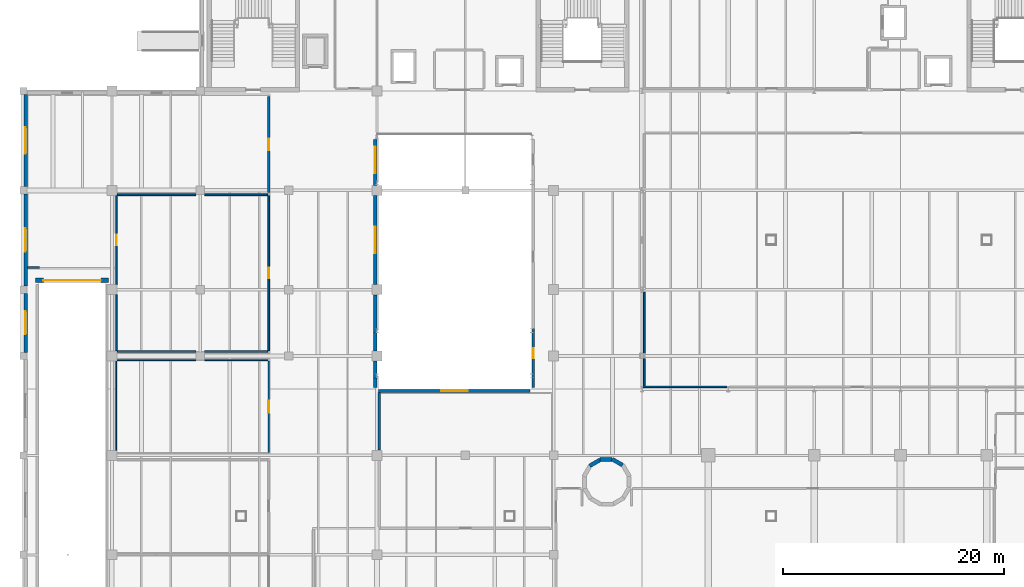
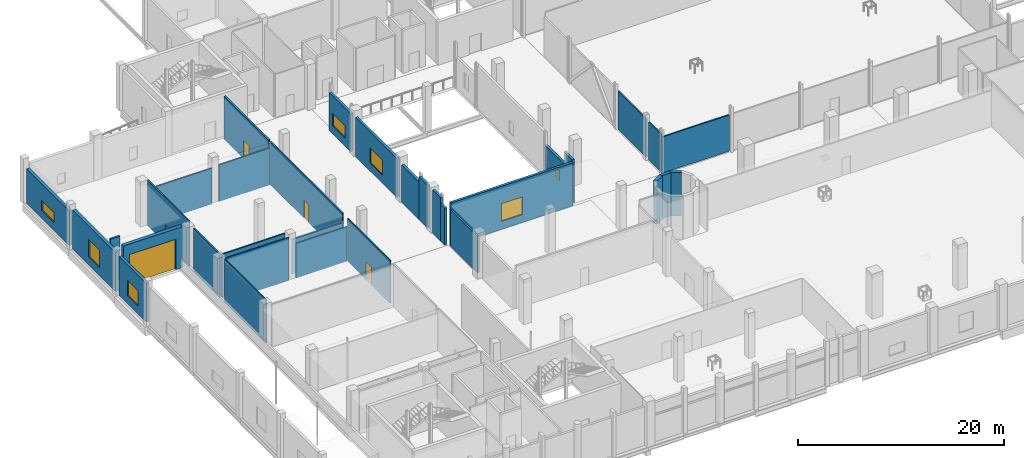
# One storey, part 39 of 57: 33 walls, 7 windows, 5 doors, 12 openings.
"""IFC4 building model written with IfcOpenShell, lengths in metres."""

from ifc_helpers import new_model, si_unit, derived_unit, direction, frame, frame_2d, origin, place, context, subcontext, project, spatial, rectangle, extrude, material, layer, layer_set, type_object, element, fill, save


model = new_model("IFC4")

# Units and contexts
model_context = context("Model", 3, precision=1e-05, world=origin(), true_north=direction((0.0, 1.0)))
body_context = subcontext(model_context, "Body", "Model", "MODEL_VIEW")
ifc_project = project(units=[si_unit("LENGTHUNIT", "METRE"), si_unit("AREAUNIT", "SQUARE_METRE"), si_unit("VOLUMEUNIT", "CUBIC_METRE"), si_unit("PLANEANGLEUNIT", "RADIAN"), si_unit("MASSUNIT", "GRAM", prefix="KILO"), derived_unit("THERMALTRANSMITTANCEUNIT", [(si_unit("POWERUNIT", "WATT"), 1), (si_unit("LENGTHUNIT", "METRE"), -2), (si_unit("THERMODYNAMICTEMPERATUREUNIT", "KELVIN"), -1)])], contexts=[model_context])

# Site, building, storey
site_placement = place(None, origin())
site = spatial("IfcSite", under=ifc_project, at=site_placement, CompositionType="ELEMENT")
building_placement = place(site_placement, origin())
building = spatial("IfcBuilding", under=site, at=building_placement, Name="Nallur Shell Playhouse", CompositionType="ELEMENT")
storey_placement = place(building_placement, origin())
storey = spatial("IfcBuildingStorey", under=building, at=storey_placement, Name="L01", CompositionType="ELEMENT", Elevation=0.0)

# Walls
ifc_material_1 = material(Name="Concrete M45", Category="concrete")
ifc_layer_1 = layer(ifc_material_1, 0.39990234375)
ifc_layer_set_1 = layer_set([ifc_layer_1], Name="Concrete M45")
wall_type_1 = type_object("IfcWallType", Name="WL-CORE-400", PredefinedType="SHEAR", material=ifc_layer_set_1)
for number, where, z_axis, x_axis, name in (
    (1, (62.23291015625, 40.114990234375, 0.0), (0.0, 0.0, 1.0), (-0.866062834654, 0.499935162227, 0.0), "Metabolist service drum DR-1 facet 2 (L01)"),
    (2, (61.283447265625, 40.62841796875, 0.0), (0.0, 0.0, 1.0), (-1.0, 0.0, 0.0), "Metabolist service drum DR-1 facet 3 (L01)"),
    (3, (60.20458984375, 40.598388671875, 0.0), (0.0, 0.0, 1.0), (-0.86611865017, -0.499838457731, 0.0), "Metabolist service drum DR-1 facet 4 (L01)"),
):
    element("IfcWall", number, at=place(storey_placement, frame(where, z_axis=z_axis, x_axis=x_axis)), inside=storey, type_object=wall_type_1, Name=name, PredefinedType="SHEAR", context=body_context, shape_type="SweptSolid", body=[
        extrude(rectangle(XDim=1.093017578125, YDim=0.35009765625, at=frame_2d((0.54638671875, 0.0))), origin(), (0.0, 0.0, 1.0), 5.1201171875),
    ])
ifc_material_2 = material(Name="Precast concrete M40", Category="concrete")
ifc_layer_2 = layer(ifc_material_2, 0.260009765625)
ifc_layer_set_2 = layer_set([ifc_layer_2], Name="Precast concrete M40")
wall_type_2 = type_object("IfcWallType", Name="WL-EXT-CLAD260", PredefinedType="ELEMENTEDWALL", material=ifc_layer_set_2)
wall_1_placement = place(storey_placement, frame((54.14990234375, 47.139892578125, 0.0), z_axis=(0.0, 0.0, 1.0), x_axis=(0.0, 1.0, 0.0)))
element("IfcWall", 4, at=wall_1_placement, inside=storey, type_object=wall_type_2, Name="L01 exterior wall EW-L01-082", PredefinedType="ELEMENTEDWALL", context=body_context, shape_type="SweptSolid", body=[
    extrude(rectangle(XDim=1.2431640625, YDim=0.260009765625, at=frame_2d((0.62158203125, 0.0))), origin(), (0.0, 0.0, 1.0), 5.1201171875),
])

# Wall, opening, window
wall_2_placement = place(storey_placement, frame((54.14990234375, 48.383056640625, 0.0), z_axis=(0.0, 0.0, 1.0), x_axis=(0.0, 1.0, 0.0)))
wall_2 = element("IfcWall", 5, at=wall_2_placement, inside=storey, type_object=wall_type_2, Name="L01 exterior wall EW-L01-083", PredefinedType="ELEMENTEDWALL", context=body_context, shape_type="SweptSolid", body=[
    extrude(rectangle(XDim=4.099853515625, YDim=0.260009765625, at=frame_2d((2.0498046875, 0.0))), origin(), (0.0, 0.0, 1.0), 3.675048828125),
])
opening_1_placement = place(wall_2_placement, frame((1.4169921875, 0.0, 0.949951171875)))
opening_1 = element("IfcOpeningElement", 6, at=opening_1_placement, cuts=wall_2, Name="Opening WN-01", PredefinedType="OPENING", context=body_context, shape_type="SweptSolid", body=[
    extrude(rectangle(XDim=0.89990234375, YDim=1.199951171875, at=frame_2d((0.449951171875, 0.60009765625))), frame((0.0, 0.14013671875, 0.0), z_axis=(0.0, -1.0, 0.0), x_axis=(1.0, 0.0, 0.0)), (0.0, 0.0, 1.0), 0.280029296875),
])
ifc_material_3 = material(Name="Thermally Broken Aluminium Acoustic Double-Glazed Window", Category="aluminium")
window_type_1 = type_object("IfcWindowType", Name="WN-TYPE-01", PartitioningType="SINGLE_PANEL", PredefinedType="WINDOW", material=ifc_material_3)
window_1_placement = place(opening_1_placement, origin())
window_1 = element("IfcWindow", 7, at=window_1_placement, inside=storey, type_object=window_type_1, Name="L01 facade module window 033", OverallHeight=1.199951171875, OverallWidth=0.89990234375, PartitioningType="SINGLE_PANEL", PredefinedType="WINDOW", context=body_context, shape_type="SweptSolid", body=[
    extrude(rectangle(XDim=0.89990234375, YDim=1.199951171875, at=frame_2d((0.449951171875, 0.60009765625))), frame((0.0, 0.030029296875, 0.0), z_axis=(0.0, -1.0, 0.0), x_axis=(1.0, 0.0, 0.0)), (0.0, 0.0, 1.0), 0.06005859375),
])
fill(opening_1, window_1)

ifc_material_4 = material(Name="Concrete M30", Category="concrete")
ifc_layer_3 = layer(ifc_material_4, 0.280029296875)
ifc_layer_set_3 = layer_set([ifc_layer_3], Name="Concrete M30")
wall_type_3 = type_object("IfcWallType", Name="WL-EXT-INS280", PredefinedType="STANDARD", material=ifc_layer_set_3)
wall_3_placement = place(storey_placement, frame((39.840087890625, 69.616943359375, 0.0), z_axis=(0.0, 0.0, 1.0), x_axis=(0.0, -1.0, 0.0)))
wall_3 = element("IfcWall", 8, at=wall_3_placement, inside=storey, type_object=wall_type_3, Name="L01 exterior wall EW-L01-075", PredefinedType="STANDARD", context=body_context, shape_type="SweptSolid", body=[
    extrude(rectangle(XDim=4.169921875, YDim=0.280029296875, at=frame_2d((2.0849609375, 0.0))), origin(), (0.0, 0.0, 1.0), 4.5048828125),
])
opening_2_placement = place(wall_3_placement, frame((0.6669921875, 0.0, 0.949951171875)))
opening_2 = element("IfcOpeningElement", 9, at=opening_2_placement, cuts=wall_3, Name="Opening WN-30", PredefinedType="OPENING", context=body_context, shape_type="SweptSolid", body=[
    extrude(rectangle(XDim=2.39990234375, YDim=1.5, at=frame_2d((1.199951171875, 0.75))), frame((0.0, 0.14990234375, 0.0), z_axis=(0.0, -1.0, 0.0), x_axis=(1.0, 0.0, 0.0)), (0.0, 0.0, 1.0), 0.300048828125),
])
window_type_2 = type_object("IfcWindowType", Name="WN-TYPE-30", PartitioningType="SINGLE_PANEL", PredefinedType="SKYLIGHT", material=ifc_material_3)
window_2_placement = place(opening_2_placement, origin())
window_2 = element("IfcWindow", 10, at=window_2_placement, inside=storey, type_object=window_type_2, Name="L01 facade module window 030", OverallHeight=1.5, OverallWidth=2.39990234375, PartitioningType="SINGLE_PANEL", PredefinedType="SKYLIGHT", context=body_context, shape_type="SweptSolid", body=[
    extrude(rectangle(XDim=2.39990234375, YDim=1.5, at=frame_2d((1.199951171875, 0.75))), frame((0.0, 0.030029296875, 0.0), z_axis=(0.0, -1.0, 0.0), x_axis=(1.0, 0.0, 0.0)), (0.0, 0.0, 1.0), 0.06005859375),
])
fill(opening_2, window_2)

wall_4_placement = place(storey_placement, frame((39.840087890625, 64.5419921875, 0.0), z_axis=(0.0, 0.0, 1.0), x_axis=(0.0, -1.0, 0.0)))
wall_4 = element("IfcWall", 11, at=wall_4_placement, inside=storey, type_object=wall_type_3, Name="L01 exterior wall EW-L01-076", PredefinedType="STANDARD", context=body_context, shape_type="SweptSolid", body=[
    extrude(rectangle(XDim=8.083984375, YDim=0.280029296875, at=frame_2d((4.0419921875, 0.0))), origin(), (0.0, 0.0, 1.0), 4.655029296875),
])
opening_3_placement = place(wall_4_placement, frame((2.842041015625, 0.0, 0.949951171875)))
opening_3 = element("IfcOpeningElement", 12, at=opening_3_placement, cuts=wall_4, Name="Opening WN-31", PredefinedType="OPENING", context=body_context, shape_type="SweptSolid", body=[
    extrude(rectangle(XDim=2.39990234375, YDim=1.800048828125, at=frame_2d((1.199951171875, 0.89990234375))), frame((0.0, 0.14990234375, 0.0), z_axis=(0.0, -1.0, 0.0), x_axis=(1.0, 0.0, 0.0)), (0.0, 0.0, 1.0), 0.300048828125),
])
window_type_3 = type_object("IfcWindowType", Name="WN-TYPE-31", PartitioningType="SINGLE_PANEL", PredefinedType="SKYLIGHT", material=ifc_material_3)
window_3_placement = place(opening_3_placement, origin())
window_3 = element("IfcWindow", 13, at=window_3_placement, inside=storey, type_object=window_type_3, Name="L01 facade module window 031", OverallHeight=1.800048828125, OverallWidth=2.39990234375, PartitioningType="SINGLE_PANEL", PredefinedType="SKYLIGHT", context=body_context, shape_type="SweptSolid", body=[
    extrude(rectangle(XDim=2.39990234375, YDim=1.800048828125, at=frame_2d((1.199951171875, 0.89990234375))), frame((0.0, 0.030029296875, 0.0), z_axis=(0.0, -1.0, 0.0), x_axis=(1.0, 0.0, 0.0)), (0.0, 0.0, 1.0), 0.06005859375),
])
fill(opening_3, window_3)

# Walls
wall_5_placement = place(storey_placement, frame((39.840087890625, 55.5419921875, 0.0), z_axis=(0.0, 0.0, 1.0), x_axis=(0.0, -1.0, 0.0)))
element("IfcWall", 14, at=wall_5_placement, inside=storey, type_object=wall_type_3, Name="L01 exterior wall EW-L01-077", PredefinedType="STANDARD", context=body_context, shape_type="SweptSolid", body=[
    extrude(rectangle(XDim=3.425048828125, YDim=0.280029296875, at=frame_2d((1.71240234375, 0.0))), origin(), (0.0, 0.0, 1.0), 4.455078125),
])
wall_6_placement = place(storey_placement, frame((39.840087890625, 52.116943359375, 0.0), z_axis=(0.0, 0.0, 1.0), x_axis=(0.0, -1.0, 0.0)))
element("IfcWall", 15, at=wall_6_placement, inside=storey, type_object=wall_type_3, Name="L01 exterior wall EW-L01-078", PredefinedType="STANDARD", context=body_context, shape_type="SweptSolid", body=[
    extrude(rectangle(XDim=1.658935546875, YDim=0.280029296875, at=frame_2d((0.82958984375, 0.0))), origin(), (0.0, 0.0, 1.0), 5.1201171875),
])
wall_7_placement = place(storey_placement, frame((39.840087890625, 49.5419921875, 0.0), z_axis=(0.0, 0.0, 1.0), x_axis=(0.0, -1.0, 0.0)))
element("IfcWall", 16, at=wall_7_placement, inside=storey, type_object=wall_type_3, Name="L01 exterior wall EW-L01-079", PredefinedType="STANDARD", context=body_context, shape_type="SweptSolid", body=[
    extrude(rectangle(XDim=1.52490234375, YDim=0.280029296875, at=frame_2d((0.762451171875, 0.0))), origin(), (0.0, 0.0, 1.0), 5.1201171875),
])
wall_8_placement = place(storey_placement, frame((39.840087890625, 48.01708984375, 0.0), z_axis=(0.0, 0.0, 1.0), x_axis=(0.0, -1.0, 0.0)))
element("IfcWall", 17, at=wall_8_placement, inside=storey, type_object=wall_type_3, Name="L01 exterior wall EW-L01-080", PredefinedType="STANDARD", context=body_context, shape_type="SweptSolid", body=[
    extrude(rectangle(XDim=0.8671875, YDim=0.280029296875, at=frame_2d((0.43359375, 0.0))), origin(), (0.0, 0.0, 1.0), 4.35498046875),
])

# Wall, opening, window
wall_9_placement = place(storey_placement, frame((40.14990234375, 46.840087890625, 0.0), z_axis=(0.0, 0.0, 1.0), x_axis=(1.0, 0.0, 0.0)))
wall_9 = element("IfcWall", 18, at=wall_9_placement, inside=storey, type_object=wall_type_3, Name="L01 exterior wall EW-L01-081", PredefinedType="STANDARD", context=body_context, shape_type="SweptSolid", body=[
    extrude(rectangle(XDim=13.7001953125, YDim=0.280029296875, at=frame_2d((6.85009765625, 0.0))), origin(), (0.0, 0.0, 1.0), 5.1201171875),
])
opening_4_placement = place(wall_9_placement, frame((5.64990234375, 0.0, 0.949951171875)))
opening_4 = element("IfcOpeningElement", 19, at=opening_4_placement, cuts=wall_9, Name="Opening WN-32", PredefinedType="OPENING", context=body_context, shape_type="SweptSolid", body=[
    extrude(rectangle(XDim=2.39990234375, YDim=2.10009765625, at=frame_2d((1.199951171875, 1.050048828125))), frame((0.0, 0.14990234375, 0.0), z_axis=(0.0, -1.0, 0.0), x_axis=(1.0, 0.0, 0.0)), (0.0, 0.0, 1.0), 0.300048828125),
])
window_type_4 = type_object("IfcWindowType", Name="WN-TYPE-32", PartitioningType="SINGLE_PANEL", PredefinedType="SKYLIGHT", material=ifc_material_3)
window_4_placement = place(opening_4_placement, origin())
window_4 = element("IfcWindow", 20, at=window_4_placement, inside=storey, type_object=window_type_4, Name="L01 facade module window 032", OverallHeight=2.10009765625, OverallWidth=2.39990234375, PartitioningType="SINGLE_PANEL", PredefinedType="SKYLIGHT", context=body_context, shape_type="SweptSolid", body=[
    extrude(rectangle(XDim=2.39990234375, YDim=2.10009765625, at=frame_2d((1.199951171875, 1.050048828125))), frame((0.0, 0.030029296875, 0.0), z_axis=(0.0, -1.0, 0.0), x_axis=(1.0, 0.0, 0.0)), (0.0, 0.0, 1.0), 0.06005859375),
])
fill(opening_4, window_4)

ifc_material_5 = material(Name="Concrete M35", Category="concrete")
ifc_layer_4 = layer(ifc_material_5, 0.320068359375)
ifc_layer_set_4 = layer_set([ifc_layer_4], Name="Concrete M35")
wall_type_4 = type_object("IfcWallType", Name="WL-EXT-RC320", PredefinedType="STANDARD", material=ifc_layer_set_4)
wall_10_placement = place(storey_placement, frame((8.179931640625, 50.3330078125, 0.0), z_axis=(0.0, 0.0, 1.0), x_axis=(0.0, 1.0, 0.0)))
wall_10 = element("IfcWall", 21, at=wall_10_placement, inside=storey, type_object=wall_type_4, Name="L01 exterior wall EW-L01-072", PredefinedType="STANDARD", context=body_context, shape_type="SweptSolid", body=[
    extrude(rectangle(XDim=5.333984375, YDim=0.320068359375, at=frame_2d((2.6669921875, 0.0))), origin(), (0.0, 0.0, 1.0), 4.60498046875),
])
opening_5_placement = place(wall_10_placement, frame((1.616943359375, 0.0, 0.949951171875)))
opening_5 = element("IfcOpeningElement", 22, at=opening_5_placement, cuts=wall_10, Name="Opening WN-27", PredefinedType="OPENING", context=body_context, shape_type="SweptSolid", body=[
    extrude(rectangle(XDim=2.10009765625, YDim=1.800048828125, at=frame_2d((1.050048828125, 0.89990234375))), frame((0.0, 0.169921875, 0.0), z_axis=(0.0, -1.0, 0.0), x_axis=(1.0, 0.0, 0.0)), (0.0, 0.0, 1.0), 0.340087890625),
])
window_type_5 = type_object("IfcWindowType", Name="WN-TYPE-27", PartitioningType="SINGLE_PANEL", PredefinedType="LIGHTDOME", material=ifc_material_3)
window_5_placement = place(opening_5_placement, origin())
window_5 = element("IfcWindow", 23, at=window_5_placement, inside=storey, type_object=window_type_5, Name="L01 facade module window 027", OverallHeight=1.800048828125, OverallWidth=2.10009765625, PartitioningType="SINGLE_PANEL", PredefinedType="LIGHTDOME", context=body_context, shape_type="SweptSolid", body=[
    extrude(rectangle(XDim=2.10009765625, YDim=1.800048828125, at=frame_2d((1.050048828125, 0.89990234375))), frame((0.0, 0.030029296875, 0.0), z_axis=(0.0, -1.0, 0.0), x_axis=(1.0, 0.0, 0.0)), (0.0, 0.0, 1.0), 0.06005859375),
])
fill(opening_5, window_5)

wall_11_placement = place(storey_placement, frame((8.179931640625, 56.3330078125, 0.0), z_axis=(0.0, 0.0, 1.0), x_axis=(0.0, 1.0, 0.0)))
wall_11 = element("IfcWall", 24, at=wall_11_placement, inside=storey, type_object=wall_type_4, Name="L01 exterior wall EW-L01-073", PredefinedType="STANDARD", context=body_context, shape_type="SweptSolid", body=[
    extrude(rectangle(XDim=8.333984375, YDim=0.320068359375, at=frame_2d((4.1669921875, 0.0))), origin(), (0.0, 0.0, 1.0), 4.655029296875),
])
opening_6_placement = place(wall_11_placement, frame((3.116943359375, 0.0, 0.949951171875)))
opening_6 = element("IfcOpeningElement", 25, at=opening_6_placement, cuts=wall_11, Name="Opening WN-28", PredefinedType="OPENING", context=body_context, shape_type="SweptSolid", body=[
    extrude(rectangle(XDim=2.10009765625, YDim=2.10009765625, at=frame_2d((1.050048828125, 1.050048828125))), frame((0.0, 0.169921875, 0.0), z_axis=(0.0, -1.0, 0.0), x_axis=(1.0, 0.0, 0.0)), (0.0, 0.0, 1.0), 0.340087890625),
])
window_type_6 = type_object("IfcWindowType", Name="WN-TYPE-28", PartitioningType="SINGLE_PANEL", PredefinedType="LIGHTDOME", material=ifc_material_3)
window_6_placement = place(opening_6_placement, origin())
window_6 = element("IfcWindow", 26, at=window_6_placement, inside=storey, type_object=window_type_6, Name="L01 facade module window 028", OverallHeight=2.10009765625, OverallWidth=2.10009765625, PartitioningType="SINGLE_PANEL", PredefinedType="LIGHTDOME", context=body_context, shape_type="SweptSolid", body=[
    extrude(rectangle(XDim=2.10009765625, YDim=2.10009765625, at=frame_2d((1.050048828125, 1.050048828125))), frame((0.0, 0.030029296875, 0.0), z_axis=(0.0, -1.0, 0.0), x_axis=(1.0, 0.0, 0.0)), (0.0, 0.0, 1.0), 0.06005859375),
])
fill(opening_6, window_6)

wall_12_placement = place(storey_placement, frame((8.179931640625, 65.3330078125, 0.0), z_axis=(0.0, 0.0, 1.0), x_axis=(0.0, 1.0, 0.0)))
wall_12 = element("IfcWall", 27, at=wall_12_placement, inside=storey, type_object=wall_type_4, Name="L01 exterior wall EW-L01-074", PredefinedType="STANDARD", context=body_context, shape_type="SweptSolid", body=[
    extrude(rectangle(XDim=8.333984375, YDim=0.320068359375, at=frame_2d((4.1669921875, 0.0))), origin(), (0.0, 0.0, 1.0), 4.10498046875),
])
opening_7_placement = place(wall_12_placement, frame((2.967041015625, 0.0, 0.949951171875)))
opening_7 = element("IfcOpeningElement", 28, at=opening_7_placement, cuts=wall_12, Name="Opening WN-29", PredefinedType="OPENING", context=body_context, shape_type="SweptSolid", body=[
    extrude(rectangle(XDim=2.39990234375, YDim=1.199951171875, at=frame_2d((1.199951171875, 0.60009765625))), frame((0.0, 0.169921875, 0.0), z_axis=(0.0, -1.0, 0.0), x_axis=(1.0, 0.0, 0.0)), (0.0, 0.0, 1.0), 0.340087890625),
])
window_type_7 = type_object("IfcWindowType", Name="WN-TYPE-29", PartitioningType="SINGLE_PANEL", PredefinedType="SKYLIGHT", material=ifc_material_3)
window_7_placement = place(opening_7_placement, origin())
window_7 = element("IfcWindow", 29, at=window_7_placement, inside=storey, type_object=window_type_7, Name="L01 facade module window 029", OverallHeight=1.199951171875, OverallWidth=2.39990234375, PartitioningType="SINGLE_PANEL", PredefinedType="SKYLIGHT", context=body_context, shape_type="SweptSolid", body=[
    extrude(rectangle(XDim=2.39990234375, YDim=1.199951171875, at=frame_2d((1.199951171875, 0.60009765625))), frame((0.0, 0.030029296875, 0.0), z_axis=(0.0, -1.0, 0.0), x_axis=(1.0, 0.0, 0.0)), (0.0, 0.0, 1.0), 0.06005859375),
])
fill(opening_7, window_7)

# Wall, opening, door
ifc_material_6 = material(Name="Concrete M40", Category="concrete")
ifc_layer_5 = layer(ifc_material_6, 0.39990234375)
ifc_layer_set_5 = layer_set([ifc_layer_5], Name="Concrete M40")
wall_type_5 = type_object("IfcWallType", Name="WL-EXT-RC400", PredefinedType="STANDARD", material=ifc_layer_set_5)
wall_13_placement = place(storey_placement, frame((9.10009765625, 56.85009765625, 0.0), z_axis=(0.0, 0.0, 1.0), x_axis=(1.0, 0.0, 0.0)))
wall_13 = element("IfcWall", 30, at=wall_13_placement, inside=storey, type_object=wall_type_5, Name="Vehicular ramp entry portal wall", PredefinedType="STANDARD", context=body_context, shape_type="SweptSolid", body=[
    extrude(rectangle(XDim=6.599853515625, YDim=0.39990234375, at=frame_2d((3.2998046875, 0.0))), origin(), (0.0, 0.0, 1.0), 4.85009765625),
])
opening_8_placement = place(wall_13_placement, frame((0.699951171875, 0.0, 0.0)))
opening_8 = element("IfcOpeningElement", 31, at=opening_8_placement, cuts=wall_13, Name="Opening VD-01", PredefinedType="OPENING", context=body_context, shape_type="SweptSolid", body=[
    extrude(rectangle(XDim=5.199951171875, YDim=3.60009765625, at=frame_2d((2.60009765625, 1.800048828125))), frame((0.0, 0.2099609375, 0.0), z_axis=(0.0, -1.0, 0.0), x_axis=(1.0, 0.0, 0.0)), (0.0, 0.0, 1.0), 0.419921875),
])
ifc_material_7 = material(Name="Motorised Perforated Steel Car-Park Roller Shutter", Category="steel")
door_type_1 = type_object("IfcDoorType", Name="DR-SHUTTER-5200", OperationType="ROLLINGUP", PredefinedType="GATE", material=ifc_material_7)
door_1_placement = place(opening_8_placement, origin())
door_1 = element("IfcDoor", 32, at=door_1_placement, inside=storey, type_object=door_type_1, Name="Motorised basement car-park entry roller shutter VD-01", OperationType="ROLLINGUP", OverallHeight=3.60009765625, OverallWidth=5.199951171875, PredefinedType="GATE", context=body_context, shape_type="SweptSolid", body=[
    extrude(rectangle(XDim=5.199951171875, YDim=3.60009765625, at=frame_2d((2.60009765625, 1.800048828125))), frame((0.0, 0.02490234375, 0.0), z_axis=(0.0, -1.0, 0.0), x_axis=(1.0, 0.0, 0.0)), (0.0, 0.0, 1.0), 0.050048828125),
])
fill(opening_8, door_1)

# Wall
ifc_layer_6 = layer(ifc_material_4, 0.199951171875)
ifc_layer_set_6 = layer_set([ifc_layer_6], Name="Concrete M30")
wall_type_6 = type_object("IfcWallType", Name="WL-PART-AC200", PredefinedType="PARTITIONING", material=ifc_layer_set_6)
wall_14_placement = place(storey_placement, frame((40.199951171875, 41.465087890625, 0.0), z_axis=(0.0, 0.0, 1.0), x_axis=(0.0, 1.0, 0.0)))
element("IfcWall", 33, at=wall_14_placement, inside=storey, type_object=wall_type_6, Name="Box Office & Patron Ticketing Suite partition IW-L01-0055", PredefinedType="PARTITIONING", context=body_context, shape_type="SweptSolid", body=[
    extrude(rectangle(XDim=5.23095703125, YDim=0.199951171875, at=frame_2d((2.615478515625, 0.0))), origin(), (0.0, 0.0, 1.0), 4.35009765625),
])

# Wall, opening, door
wall_15_placement = place(storey_placement, frame((30.199951171875, 73.47998046875, 0.0), z_axis=(0.0, 0.0, 1.0), x_axis=(0.0, -1.0, 0.0)))
wall_15 = element("IfcWall", 34, at=wall_15_placement, inside=storey, type_object=wall_type_6, Name="Acoustic Airlock Lorry Loading Dock partition IW-L01-0092", PredefinedType="PARTITIONING", context=body_context, shape_type="SweptSolid", body=[
    extrude(rectangle(XDim=8.659912109375, YDim=0.199951171875, at=frame_2d((4.330078125, 0.0))), origin(), (0.0, 0.0, 1.0), 5.110107421875),
])
opening_9_placement = place(wall_15_placement, frame((3.804931640625, 0.0, 0.0)))
opening_9 = element("IfcOpeningElement", 35, at=opening_9_placement, cuts=wall_15, Name="Opening ID-02", PredefinedType="OPENING", context=body_context, shape_type="SweptSolid", body=[
    extrude(rectangle(XDim=1.050048828125, YDim=2.14990234375, at=frame_2d((0.52490234375, 1.074951171875))), frame((0.0, 0.10986328125, 0.0), z_axis=(0.0, -1.0, 0.0), x_axis=(1.0, 0.0, 0.0)), (0.0, 0.0, 1.0), 0.219970703125),
])
ifc_material_8 = material(Name="Solid-Core Engineered Timber Fire Door", Category="wood")
door_type_2 = type_object("IfcDoorType", Name="DR-INT-SGL1050R", OperationType="SINGLE_SWING_RIGHT", PredefinedType="DOOR", material=ifc_material_8)
door_2_placement = place(opening_9_placement, origin())
door_2 = element("IfcDoor", 36, at=door_2_placement, inside=storey, type_object=door_type_2, Name="Acoustic Airlock Lorry Loading Dock door 1", OperationType="SINGLE_SWING_RIGHT", OverallHeight=2.14990234375, OverallWidth=1.050048828125, PredefinedType="DOOR", context=body_context, shape_type="SweptSolid", body=[
    extrude(rectangle(XDim=1.050048828125, YDim=2.14990234375, at=frame_2d((0.52490234375, 1.074951171875))), frame((0.0, 0.02490234375, 0.0), z_axis=(0.0, -1.0, 0.0), x_axis=(1.0, 0.0, 0.0)), (0.0, 0.0, 1.0), 0.050048828125),
])
fill(opening_9, door_2)

# Walls
wall_16_placement = place(storey_placement, frame((9.449951171875, 58.0, 0.0), z_axis=(0.0, 0.0, 1.0), x_axis=(-1.0, 0.0, 0.0)))
element("IfcWall", 37, at=wall_16_placement, inside=storey, type_object=wall_type_6, Name="Acoustic Airlock Lorry Loading Dock partition IW-L01-0093", PredefinedType="PARTITIONING", context=body_context, shape_type="SweptSolid", body=[
    extrude(rectangle(XDim=1.10595703125, YDim=0.199951171875, at=frame_2d((0.552978515625, 0.0))), origin(), (0.0, 0.0, 1.0), 5.169921875),
])
ifc_material_9 = material(Name="Double-Layer Fire-Rated Gypsum Stud Partition")
ifc_layer_7 = layer(ifc_material_9, 0.10009765625)
ifc_layer_set_7 = layer_set([ifc_layer_7], Name="Double-Layer Fire-Rated Gypsum Stud Partition")
wall_type_7 = type_object("IfcWallType", Name="WL-PART-DRY100", PredefinedType="PARTITIONING", material=ifc_layer_set_7)
wall_17_placement = place(storey_placement, frame((16.469970703125, 49.60009765625, 0.0), z_axis=(0.0, 0.0, 1.0), x_axis=(1.0, 0.0, 0.0)))
element("IfcWall", 38, at=wall_17_placement, inside=storey, type_object=wall_type_7, Name="Secure Bicycle & Scooter Store partition IW-L01-0108", PredefinedType="PARTITIONING", context=body_context, shape_type="SweptSolid", body=[
    extrude(rectangle(XDim=7.14013671875, YDim=0.10009765625, at=frame_2d((3.570068359375, 0.0))), origin(), (0.0, 0.0, 1.0), 5.110107421875),
])
wall_18_placement = place(storey_placement, frame((24.389892578125, 49.60009765625, 0.0), z_axis=(0.0, 0.0, 1.0), x_axis=(1.0, 0.0, 0.0)))
element("IfcWall", 39, at=wall_18_placement, inside=storey, type_object=wall_type_7, Name="Secure Bicycle & Scooter Store partition IW-L01-0109", PredefinedType="PARTITIONING", context=body_context, shape_type="SweptSolid", body=[
    extrude(rectangle(XDim=5.739990234375, YDim=0.10009765625, at=frame_2d((2.8701171875, 0.0))), origin(), (0.0, 0.0, 1.0), 4.10009765625),
])

# Wall, opening, door
wall_19_placement = place(storey_placement, frame((30.199951171875, 49.530029296875, 0.0), z_axis=(0.0, 0.0, 1.0), x_axis=(0.0, -1.0, 0.0)))
wall_19 = element("IfcWall", 40, at=wall_19_placement, inside=storey, type_object=wall_type_7, Name="Secure Bicycle & Scooter Store partition IW-L01-0110", PredefinedType="PARTITIONING", context=body_context, shape_type="SweptSolid", body=[
    extrude(rectangle(XDim=8.260009765625, YDim=0.10009765625, at=frame_2d((4.1298828125, 0.0))), origin(), (0.0, 0.0, 1.0), 5.110107421875),
])
opening_10_placement = place(wall_19_placement, frame((3.60498046875, 0.0, 0.0)))
opening_10 = element("IfcOpeningElement", 41, at=opening_10_placement, cuts=wall_19, Name="Opening ID-01", PredefinedType="OPENING", context=body_context, shape_type="SweptSolid", body=[
    extrude(rectangle(XDim=1.050048828125, YDim=2.14990234375, at=frame_2d((0.52490234375, 1.074951171875))), frame((0.0, 0.06005859375, 0.0), z_axis=(0.0, -1.0, 0.0), x_axis=(1.0, 0.0, 0.0)), (0.0, 0.0, 1.0), 0.1201171875),
])
door_type_3 = type_object("IfcDoorType", Name="DR-INT-SGL1050L", OperationType="SINGLE_SWING_LEFT", PredefinedType="DOOR", material=ifc_material_8)
door_3_placement = place(opening_10_placement, origin())
door_3 = element("IfcDoor", 42, at=door_3_placement, inside=storey, type_object=door_type_3, Name="Secure Bicycle & Scooter Store door 1", OperationType="SINGLE_SWING_LEFT", OverallHeight=2.14990234375, OverallWidth=1.050048828125, PredefinedType="DOOR", context=body_context, shape_type="SweptSolid", body=[
    extrude(rectangle(XDim=1.050048828125, YDim=2.14990234375, at=frame_2d((0.52490234375, 1.074951171875))), frame((0.0, 0.02490234375, 0.0), z_axis=(0.0, -1.0, 0.0), x_axis=(1.0, 0.0, 0.0)), (0.0, 0.0, 1.0), 0.050048828125),
])
fill(opening_10, door_3)

# Walls
wall_20_placement = place(storey_placement, frame((16.39990234375, 41.465087890625, 0.0), z_axis=(0.0, 0.0, 1.0), x_axis=(0.0, 1.0, 0.0)))
element("IfcWall", 43, at=wall_20_placement, inside=storey, type_object=wall_type_7, Name="Secure Bicycle & Scooter Store partition IW-L01-0112", PredefinedType="PARTITIONING", context=body_context, shape_type="SweptSolid", body=[
    extrude(rectangle(XDim=8.06494140625, YDim=0.10009765625, at=frame_2d((4.032470703125, 0.0))), origin(), (0.0, 0.0, 1.0), 5.110107421875),
])
ifc_material_10 = material(Name="Concrete M25 Fire Blockwork", Category="masonry")
ifc_layer_8 = layer(ifc_material_10, 0.14990234375)
ifc_layer_set_8 = layer_set([ifc_layer_8], Name="Concrete M25 Fire Blockwork")
wall_type_8 = type_object("IfcWallType", Name="WL-PART-FR150", PredefinedType="PARTITIONING", material=ifc_layer_set_8)
wall_21_placement = place(storey_placement, frame((16.4951171875, 64.60009765625, 0.0), z_axis=(0.0, 0.0, 1.0), x_axis=(1.0, 0.0, 0.0)))
element("IfcWall", 44, at=wall_21_placement, inside=storey, type_object=wall_type_8, Name="Green Room & Performers Lounge partition IW-L01-0067", PredefinedType="PARTITIONING", context=body_context, shape_type="SweptSolid", body=[
    extrude(rectangle(XDim=7.114990234375, YDim=0.14990234375, at=frame_2d((3.5576171875, 0.0))), origin(), (0.0, 0.0, 1.0), 4.25),
])
wall_22_placement = place(storey_placement, frame((24.389892578125, 64.60009765625, 0.0), z_axis=(0.0, 0.0, 1.0), x_axis=(1.0, 0.0, 0.0)))
element("IfcWall", 45, at=wall_22_placement, inside=storey, type_object=wall_type_8, Name="Green Room & Performers Lounge partition IW-L01-0068", PredefinedType="PARTITIONING", context=body_context, shape_type="SweptSolid", body=[
    extrude(rectangle(XDim=5.715087890625, YDim=0.14990234375, at=frame_2d((2.857421875, 0.0))), origin(), (0.0, 0.0, 1.0), 4.35009765625),
])

# Wall, opening, door
wall_23_placement = place(storey_placement, frame((30.199951171875, 64.5048828125, 0.0), z_axis=(0.0, 0.0, 1.0), x_axis=(0.0, -1.0, 0.0)))
wall_23 = element("IfcWall", 46, at=wall_23_placement, inside=storey, type_object=wall_type_8, Name="Green Room & Performers Lounge partition IW-L01-0069", PredefinedType="PARTITIONING", context=body_context, shape_type="SweptSolid", body=[
    extrude(rectangle(XDim=14.009765625, YDim=0.14990234375, at=frame_2d((7.0048828125, 0.0))), origin(), (0.0, 0.0, 1.0), 5.110107421875),
])
opening_11_placement = place(wall_23_placement, frame((6.530029296875, 0.0, 0.0)))
opening_11 = element("IfcOpeningElement", 47, at=opening_11_placement, cuts=wall_23, Name="Opening ID-04", PredefinedType="OPENING", context=body_context, shape_type="SweptSolid", body=[
    extrude(rectangle(XDim=0.949951171875, YDim=2.14990234375, at=frame_2d((0.47509765625, 1.074951171875))), frame((0.0, 0.0849609375, 0.0), z_axis=(0.0, -1.0, 0.0), x_axis=(1.0, 0.0, 0.0)), (0.0, 0.0, 1.0), 0.169921875),
])
ifc_material_11 = material(Name="Solid-Core Engineered Timber Door", Category="wood")
door_type_4 = type_object("IfcDoorType", Name="DR-INT-SGL950R", OperationType="SINGLE_SWING_RIGHT", PredefinedType="DOOR", material=ifc_material_11)
door_4_placement = place(opening_11_placement, origin())
door_4 = element("IfcDoor", 48, at=door_4_placement, inside=storey, type_object=door_type_4, Name="Green Room & Performers Lounge door 1", OperationType="SINGLE_SWING_RIGHT", OverallHeight=2.14990234375, OverallWidth=0.949951171875, PredefinedType="DOOR", context=body_context, shape_type="SweptSolid", body=[
    extrude(rectangle(XDim=0.949951171875, YDim=2.14990234375, at=frame_2d((0.47509765625, 1.074951171875))), frame((0.0, 0.02490234375, 0.0), z_axis=(0.0, -1.0, 0.0), x_axis=(1.0, 0.0, 0.0)), (0.0, 0.0, 1.0), 0.050048828125),
])
fill(opening_11, door_4)

# Walls
wall_24_placement = place(storey_placement, frame((30.10498046875, 50.39990234375, 0.0), z_axis=(0.0, 0.0, 1.0), x_axis=(-1.0, 0.0, 0.0)))
element("IfcWall", 49, at=wall_24_placement, inside=storey, type_object=wall_type_8, Name="Green Room & Performers Lounge partition IW-L01-0070", PredefinedType="PARTITIONING", context=body_context, shape_type="SweptSolid", body=[
    extrude(rectangle(XDim=5.715087890625, YDim=0.14990234375, at=frame_2d((2.857421875, 0.0))), origin(), (0.0, 0.0, 1.0), 4.10009765625),
])
wall_25_placement = place(storey_placement, frame((23.610107421875, 50.39990234375, 0.0), z_axis=(0.0, 0.0, 1.0), x_axis=(-1.0, 0.0, 0.0)))
element("IfcWall", 50, at=wall_25_placement, inside=storey, type_object=wall_type_8, Name="Green Room & Performers Lounge partition IW-L01-0071", PredefinedType="PARTITIONING", context=body_context, shape_type="SweptSolid", body=[
    extrude(rectangle(XDim=7.114990234375, YDim=0.14990234375, at=frame_2d((3.5576171875, 0.0))), origin(), (0.0, 0.0, 1.0), 5.110107421875),
])
wall_26_placement = place(storey_placement, frame((16.39990234375, 50.4951171875, 0.0), z_axis=(0.0, 0.0, 1.0), x_axis=(0.0, 1.0, 0.0)))
element("IfcWall", 51, at=wall_26_placement, inside=storey, type_object=wall_type_8, Name="Green Room & Performers Lounge partition IW-L01-0072", PredefinedType="PARTITIONING", context=body_context, shape_type="SweptSolid", body=[
    extrude(rectangle(XDim=5.039794921875, YDim=0.14990234375, at=frame_2d((2.52001953125, 0.0))), origin(), (0.0, 0.0, 1.0), 5.110107421875),
])

# Wall, opening, door
wall_27_placement = place(storey_placement, frame((16.39990234375, 56.465087890625, 0.0), z_axis=(0.0, 0.0, 1.0), x_axis=(0.0, 1.0, 0.0)))
wall_27 = element("IfcWall", 52, at=wall_27_placement, inside=storey, type_object=wall_type_8, Name="Green Room & Performers Lounge partition IW-L01-0073", PredefinedType="PARTITIONING", context=body_context, shape_type="SweptSolid", body=[
    extrude(rectangle(XDim=8.039794921875, YDim=0.14990234375, at=frame_2d((4.02001953125, 0.0))), origin(), (0.0, 0.0, 1.0), 5.39990234375),
])
opening_12_placement = place(wall_27_placement, frame((3.544921875, 0.0, 0.0)))
opening_12 = element("IfcOpeningElement", 53, at=opening_12_placement, cuts=wall_27, Name="Opening ID-03", PredefinedType="OPENING", context=body_context, shape_type="SweptSolid", body=[
    extrude(rectangle(XDim=0.949951171875, YDim=2.14990234375, at=frame_2d((0.47509765625, 1.074951171875))), frame((0.0, 0.0849609375, 0.0), z_axis=(0.0, -1.0, 0.0), x_axis=(1.0, 0.0, 0.0)), (0.0, 0.0, 1.0), 0.169921875),
])
door_type_5 = type_object("IfcDoorType", Name="DR-INT-SGL950L", OperationType="SINGLE_SWING_LEFT", PredefinedType="DOOR", material=ifc_material_11)
door_5_placement = place(opening_12_placement, origin())
door_5 = element("IfcDoor", 54, at=door_5_placement, inside=storey, type_object=door_type_5, Name="Acoustic Airlock Lorry Loading Dock door 2", OperationType="SINGLE_SWING_LEFT", OverallHeight=2.14990234375, OverallWidth=0.949951171875, PredefinedType="DOOR", context=body_context, shape_type="SweptSolid", body=[
    extrude(rectangle(XDim=0.949951171875, YDim=2.14990234375, at=frame_2d((0.47509765625, 1.074951171875))), frame((0.0, 0.02490234375, 0.0), z_axis=(0.0, -1.0, 0.0), x_axis=(1.0, 0.0, 0.0)), (0.0, 0.0, 1.0), 0.050048828125),
])
fill(opening_12, door_5)

# Walls
wall_28_placement = place(storey_placement, frame((71.659912109375, 47.199951171875, 0.0), z_axis=(0.0, 0.0, 1.0), x_axis=(-1.0, 0.0, 0.0)))
element("IfcWall", 55, at=wall_28_placement, inside=storey, type_object=wall_type_8, Name="Main Theatre Proscenium Stage & Side Stages partition IW-L01-0087", PredefinedType="PARTITIONING", context=body_context, shape_type="SweptSolid", body=[
    extrude(rectangle(XDim=7.531005859375, YDim=0.14990234375, at=frame_2d((3.765625, 0.0))), origin(), (0.0, 0.0, 1.0), 4.300048828125),
])
wall_29_placement = place(storey_placement, frame((64.199951171875, 47.294921875, 0.0), z_axis=(0.0, 0.0, 1.0), x_axis=(0.0, 1.0, 0.0)))
element("IfcWall", 56, at=wall_29_placement, inside=storey, type_object=wall_type_8, Name="Main Theatre Proscenium Stage & Side Stages partition IW-L01-0088", PredefinedType="PARTITIONING", context=body_context, shape_type="SweptSolid", body=[
    extrude(rectangle(XDim=2.465087890625, YDim=0.14990234375, at=frame_2d((1.232421875, 0.0))), origin(), (0.0, 0.0, 1.0), 4.5),
])
wall_30_placement = place(storey_placement, frame((64.199951171875, 50.239990234375, 0.0), z_axis=(0.0, 0.0, 1.0), x_axis=(0.0, 1.0, 0.0)))
element("IfcWall", 57, at=wall_30_placement, inside=storey, type_object=wall_type_8, Name="Main Theatre Proscenium Stage & Side Stages partition IW-L01-0089", PredefinedType="PARTITIONING", context=body_context, shape_type="SweptSolid", body=[
    extrude(rectangle(XDim=5.52001953125, YDim=0.14990234375, at=frame_2d((2.760009765625, 0.0))), origin(), (0.0, 0.0, 1.0), 4.550048828125),
])

save(model, "model.ifc")
